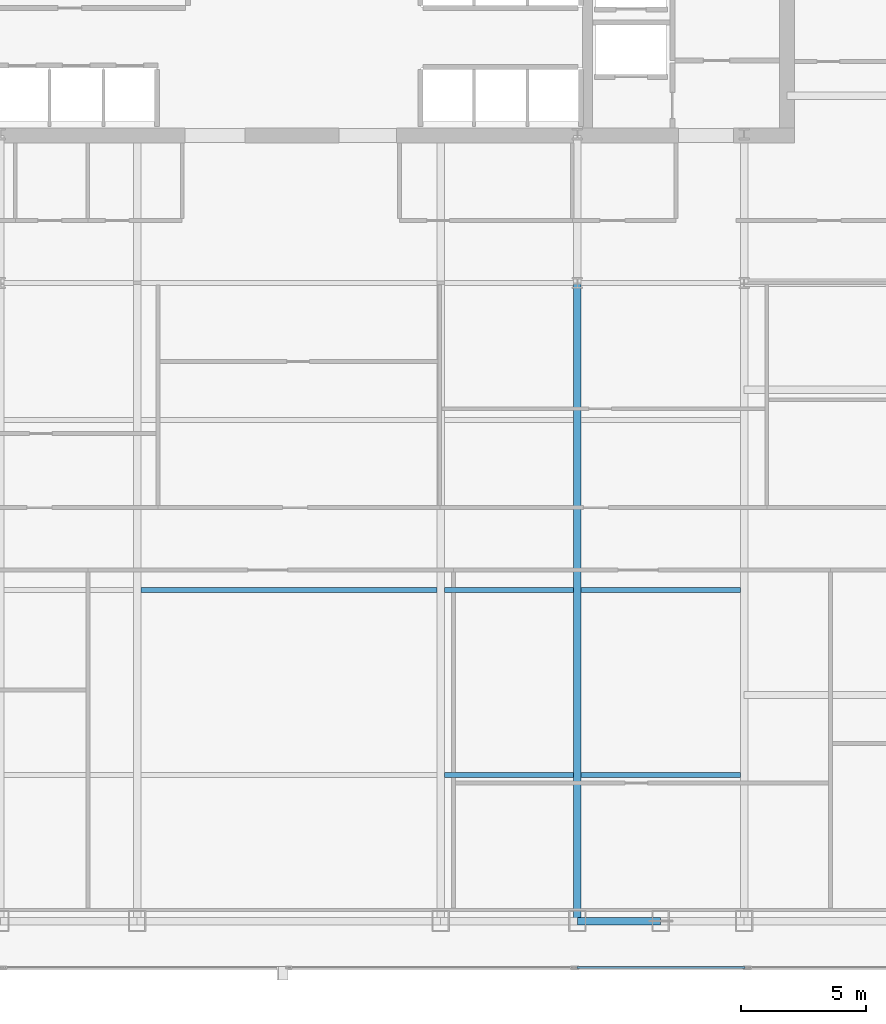
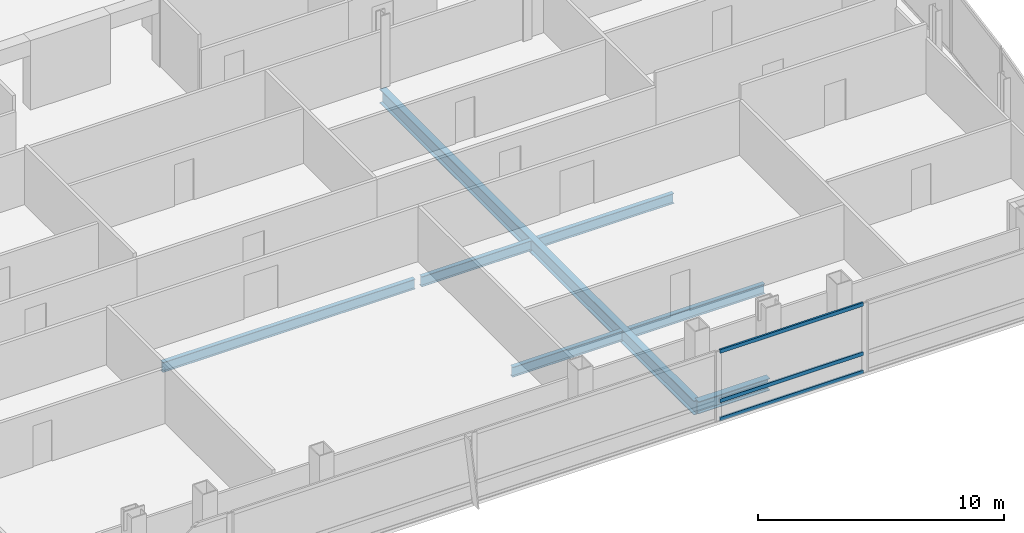
# One storey, part 14 of 29: 7 beams, 3 members, 1 element without a shape of its own.
"""IFC4 building model written with IfcOpenShell, lengths in metres."""

from ifc_helpers import new_model, si_unit, direction, frame, origin, origin_2d, place, context, subcontext, project, spatial, hollow_rectangle, i_section, extrude, material, material_profile, profile_set, type_object, element, aggregate, save


model = new_model("IFC4")

# Units and contexts
model_context = context("Model", 3, precision=1e-05, world=origin(), true_north=direction((0.0, 1.0)))
body_context = subcontext(model_context, "Body", "Model", "MODEL_VIEW")
ifc_project = project(units=[si_unit("LENGTHUNIT", "METRE"), si_unit("AREAUNIT", "SQUARE_METRE"), si_unit("VOLUMEUNIT", "CUBIC_METRE"), si_unit("PLANEANGLEUNIT", "RADIAN"), si_unit("MASSUNIT", "GRAM", prefix="KILO")], contexts=[model_context])

# Site, building, storey
site_placement = place(None, origin())
site = spatial("IfcSite", under=ifc_project, at=site_placement, CompositionType="ELEMENT")
building_placement = place(site_placement, origin())
building = spatial("IfcBuilding", under=site, at=building_placement, Name="Khoronbel Lancet Exchange", CompositionType="ELEMENT")
storey_placement = place(building_placement, frame((0.0, 0.0, 177.0)))
storey = spatial("IfcBuildingStorey", under=building, at=storey_placement, Name="L44", CompositionType="ELEMENT", Elevation=177.0)

# Beams
ifc_material_1 = material(Name="Steel S355", Category="steel")
ifc_material_profile_1 = material_profile(ifc_material_1, i_section(OverallWidth=0.300048828125, OverallDepth=0.699951171875, WebThickness=0.01708984375, FlangeThickness=0.031982421875, at=origin_2d()), Name="HEB 700")
ifc_profile_set_1 = profile_set([ifc_material_profile_1], Name="Steel S355")
beam_type_1 = type_object("IfcBeamType", Name="BM-BG3", PredefinedType="BEAM", material=ifc_profile_set_1)
beam_1_placement = place(storey_placement, frame((48.0, 10.14990234375, -0.510009765625), z_axis=(0.0, 1.0, 0.0), x_axis=(-1.0, 0.0, 0.0)))
element("IfcBeam", 1, at=beam_1_placement, inside=storey, type_object=beam_type_1, Name="Level L44 south primary girder GS5", PredefinedType="BEAM", context=body_context, shape_type="SweptSolid", body=[
    extrude(i_section(OverallWidth=0.300048828125, OverallDepth=0.699951171875, WebThickness=0.01708984375, FlangeThickness=0.031982421875, at=origin_2d()), origin(), (0.0, 0.0, 1.0), 25.550048828125),
])
ifc_material_profile_2 = material_profile(ifc_material_1, i_section(OverallWidth=0.199951171875, OverallDepth=0.5, WebThickness=0.01025390625, FlangeThickness=0.01611328125, at=origin_2d()), Name="IPE 500")
ifc_profile_set_2 = profile_set([ifc_material_profile_2], Name="Steel S355")
beam_type_2 = type_object("IfcBeamType", Name="BM-BJ3", PredefinedType="JOIST", material=ifc_profile_set_2)
beam_2_placement = place(storey_placement, frame((42.675048828125, 16.0, -0.409912109375), z_axis=(1.0, 0.0, 0.0), x_axis=(0.0, 1.0, 0.0)))
element("IfcBeam", 2, at=beam_2_placement, inside=storey, type_object=beam_type_2, Name="Level L44 secondary composite joist J04", PredefinedType="JOIST", context=body_context, shape_type="SweptSolid", body=[
    extrude(i_section(OverallWidth=0.199951171875, OverallDepth=0.5, WebThickness=0.01025390625, FlangeThickness=0.01611328125, at=origin_2d()), origin(), (0.0, 0.0, 1.0), 5.175048828125),
])
beam_3_placement = place(storey_placement, frame((48.14990234375, 16.0, -0.409912109375), z_axis=(1.0, 0.0, 0.0), x_axis=(0.0, 1.0, 0.0)))
element("IfcBeam", 3, at=beam_3_placement, inside=storey, type_object=beam_type_2, Name="Level L44 secondary composite joist J05", PredefinedType="JOIST", context=body_context, shape_type="SweptSolid", body=[
    extrude(i_section(OverallWidth=0.199951171875, OverallDepth=0.5, WebThickness=0.01025390625, FlangeThickness=0.01611328125, at=origin_2d()), origin(), (0.0, 0.0, 1.0), 6.375),
])
beam_4_placement = place(storey_placement, frame((30.52490234375, 23.39990234375, -0.409912109375), z_axis=(1.0, 0.0, 0.0), x_axis=(0.0, 1.0, 0.0)))
element("IfcBeam", 4, at=beam_4_placement, inside=storey, type_object=beam_type_2, Name="Level L44 secondary composite joist J08", PredefinedType="JOIST", context=body_context, shape_type="SweptSolid", body=[
    extrude(i_section(OverallWidth=0.199951171875, OverallDepth=0.5, WebThickness=0.01025390625, FlangeThickness=0.01611328125, at=origin_2d()), origin(), (0.0, 0.0, 1.0), 11.85009765625),
])
beam_5_placement = place(storey_placement, frame((42.675048828125, 23.39990234375, -0.409912109375), z_axis=(1.0, 0.0, 0.0), x_axis=(0.0, 1.0, 0.0)))
element("IfcBeam", 5, at=beam_5_placement, inside=storey, type_object=beam_type_2, Name="Level L44 secondary composite joist J09", PredefinedType="JOIST", context=body_context, shape_type="SweptSolid", body=[
    extrude(i_section(OverallWidth=0.199951171875, OverallDepth=0.5, WebThickness=0.01025390625, FlangeThickness=0.01611328125, at=origin_2d()), origin(), (0.0, 0.0, 1.0), 5.175048828125),
])
beam_6_placement = place(storey_placement, frame((48.14990234375, 23.39990234375, -0.409912109375), z_axis=(1.0, 0.0, 0.0), x_axis=(0.0, 1.0, 0.0)))
element("IfcBeam", 6, at=beam_6_placement, inside=storey, type_object=beam_type_2, Name="Level L44 secondary composite joist J10", PredefinedType="JOIST", context=body_context, shape_type="SweptSolid", body=[
    extrude(i_section(OverallWidth=0.199951171875, OverallDepth=0.5, WebThickness=0.01025390625, FlangeThickness=0.01611328125, at=origin_2d()), origin(), (0.0, 0.0, 1.0), 6.375),
])
ifc_material_profile_3 = material_profile(ifc_material_1, i_section(OverallWidth=0.300048828125, OverallDepth=0.60009765625, WebThickness=0.015380859375, FlangeThickness=0.030029296875, at=origin_2d()), Name="HEB 600")
ifc_profile_set_3 = profile_set([ifc_material_profile_3], Name="Steel S355")
beam_type_3 = type_object("IfcBeamType", Name="BM-BSP2", PredefinedType="SPANDREL", material=ifc_profile_set_3)
beam_7_placement = place(storey_placement, frame((48.0, 10.14990234375, -0.4599609375), z_axis=(1.0, 0.0, 0.0), x_axis=(0.0, 1.0, 0.0)))
element("IfcBeam", 7, at=beam_7_placement, inside=storey, type_object=beam_type_3, Name="Level L44 perimeter spandrel beam SP07", PredefinedType="SPANDREL", context=body_context, shape_type="SweptSolid", body=[
    extrude(i_section(OverallWidth=0.300048828125, OverallDepth=0.60009765625, WebThickness=0.015380859375, FlangeThickness=0.030029296875, at=origin_2d()), origin(), (0.0, 0.0, 1.0), 3.33740234375),
])

# Curtain wall, members
ifc_material_2 = material(Name="Low-E Solar Control Insulating Glass", Category="glass")
curtain_wall_type = type_object("IfcCurtainWallType", Name="CW-3", PredefinedType="NOTDEFINED", material=ifc_material_2)
curtain_wall_placement = place(storey_placement, origin())
curtain_wall = element("IfcCurtainWall", 8, at=curtain_wall_placement, inside=storey, type_object=curtain_wall_type, Name="Unitised curtain wall CW-L44-SEB", PredefinedType="NOTDEFINED")
ifc_material_3 = material(Name="Bronze-Anodised Aluminium 6063-T6", Category="aluminium")
ifc_material_profile_4 = material_profile(ifc_material_3, hollow_rectangle(XDim=0.0849609375, YDim=0.179931640625, WallThickness=0.0048828125, at=origin_2d()), Name="ALU TRANSOM 85x180")
ifc_profile_set_4 = profile_set([ifc_material_profile_4], Name="Bronze-Anodised Aluminium 6063-T6")
member_type = type_object("IfcMemberType", Name="MEM-CWT1", PredefinedType="USERDEFINED", material=ifc_profile_set_4)
member_1_placement = place(storey_placement, frame((47.985107421875, 8.2900390625, 0.04248046875), z_axis=(1.0, 0.0, 0.0), x_axis=(0.0, 1.0, 0.0)))
member_1 = element("IfcMember", 9, at=member_1_placement, type_object=member_type, Name="CW3 transom 1.1", ObjectType="TRANSOM", PredefinedType="USERDEFINED", context=body_context, shape_type="SweptSolid", body=[
    extrude(hollow_rectangle(XDim=0.0849609375, YDim=0.179931640625, WallThickness=0.0048828125, at=origin_2d()), origin(), (0.0, 0.0, 1.0), 6.72998046875),
])
member_2_placement = place(storey_placement, frame((47.985107421875, 8.2900390625, 0.949951171875), z_axis=(1.0, 0.0, 0.0), x_axis=(0.0, 1.0, 0.0)))
member_2 = element("IfcMember", 10, at=member_2_placement, type_object=member_type, Name="CW3 transom 1.2", ObjectType="TRANSOM", PredefinedType="USERDEFINED", context=body_context, shape_type="SweptSolid", body=[
    extrude(hollow_rectangle(XDim=0.0849609375, YDim=0.179931640625, WallThickness=0.0048828125, at=origin_2d()), origin(), (0.0, 0.0, 1.0), 6.72998046875),
])
member_3_placement = place(storey_placement, frame((47.985107421875, 8.2900390625, 3.3974609375), z_axis=(1.0, 0.0, 0.0), x_axis=(0.0, 1.0, 0.0)))
member_3 = element("IfcMember", 11, at=member_3_placement, type_object=member_type, Name="CW3 transom 1.3", ObjectType="TRANSOM", PredefinedType="USERDEFINED", context=body_context, shape_type="SweptSolid", body=[
    extrude(hollow_rectangle(XDim=0.0849609375, YDim=0.179931640625, WallThickness=0.0048828125, at=origin_2d()), origin(), (0.0, 0.0, 1.0), 6.72998046875),
])
aggregate(curtain_wall, [member_1, member_2, member_3])

save(model, "model.ifc")
